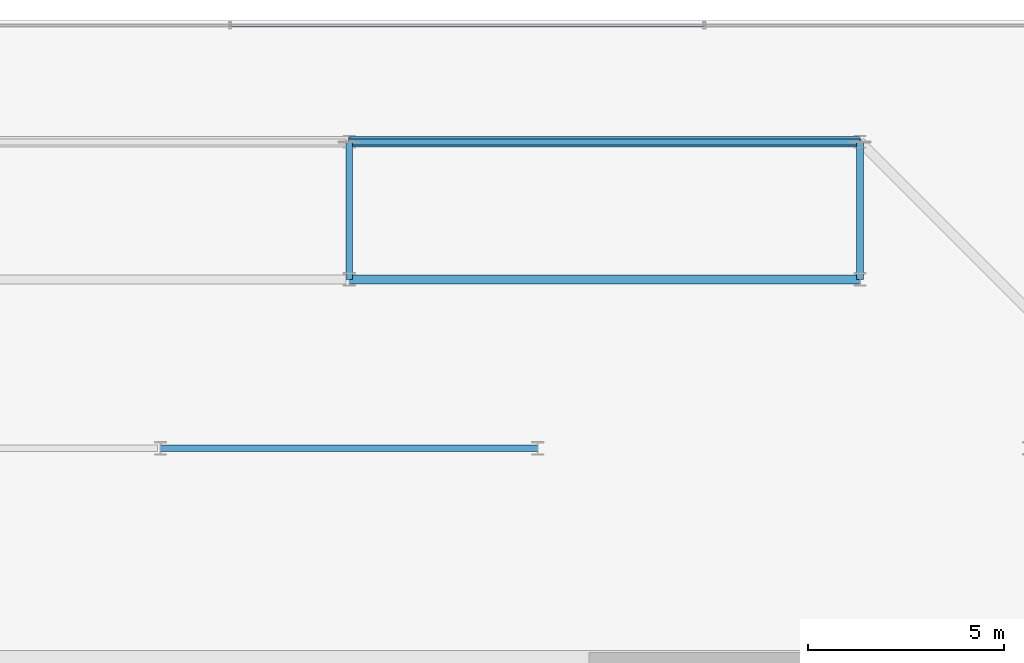
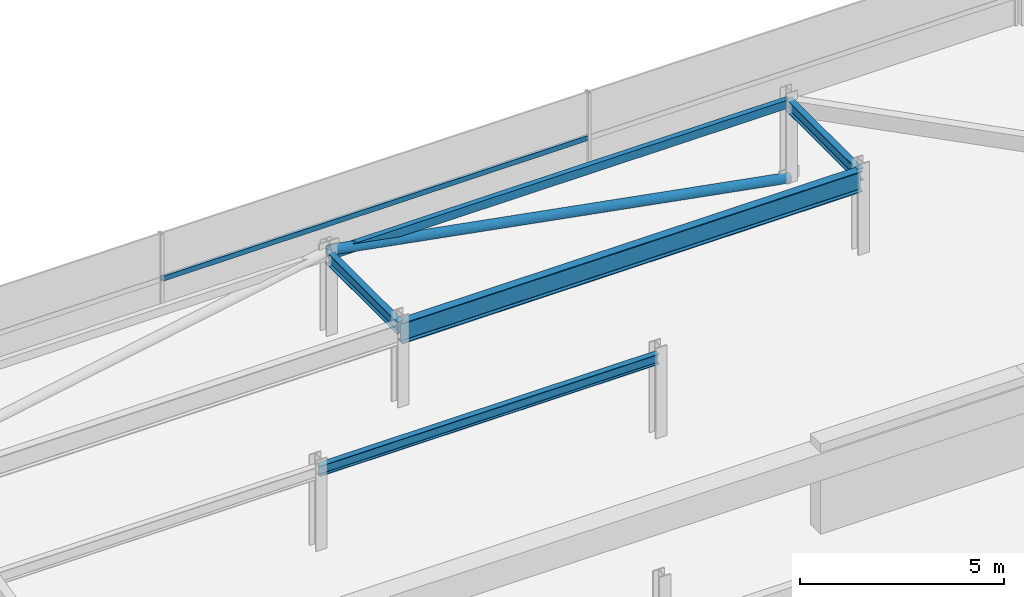
# One storey, part 34 of 42: 5 beams, 2 members, 1 element without a shape of its own.
"""IFC4 building model written with IfcOpenShell, lengths in metres."""

from ifc_helpers import new_model, si_unit, direction, frame, origin, origin_2d, place, context, subcontext, project, spatial, hollow_rectangle, hollow_circle, i_section, extrude, material, material_profile, profile_set, type_object, element, aggregate, save


model = new_model("IFC4")

# Units and contexts
model_context = context("Model", 3, precision=1e-05, world=origin(), true_north=direction((0.0, 1.0)))
body_context = subcontext(model_context, "Body", "Model", "MODEL_VIEW")
ifc_project = project(units=[si_unit("LENGTHUNIT", "METRE"), si_unit("AREAUNIT", "SQUARE_METRE"), si_unit("VOLUMEUNIT", "CUBIC_METRE"), si_unit("PLANEANGLEUNIT", "RADIAN"), si_unit("MASSUNIT", "GRAM", prefix="KILO")], contexts=[model_context])

# Site, building, storey
site_placement = place(None, origin())
site = spatial("IfcSite", under=ifc_project, at=site_placement, CompositionType="ELEMENT")
building_placement = place(site_placement, origin())
building = spatial("IfcBuilding", under=site, at=building_placement, Name="Thornwick Lancets Civic Towers", CompositionType="ELEMENT")
storey_placement = place(building_placement, frame((0.0, 0.0, 289.5)))
storey = spatial("IfcBuildingStorey", under=building, at=storey_placement, Name="C04", CompositionType="ELEMENT", Elevation=289.5)

# Beams
ifc_material_1 = material(Name="Steel S355JR", Category="steel")
ifc_material_profile_1 = material_profile(ifc_material_1, hollow_rectangle(XDim=0.14990234375, YDim=0.25, WallThickness=0.012451171875, at=origin_2d()), Name="RHS 250x150x12.5")
ifc_profile_set_1 = profile_set([ifc_material_profile_1], Name="Steel S355JR")
beam_type_1 = type_object("IfcBeamType", Name="BM_CROWN_RHS250", PredefinedType="BEAM", material=ifc_profile_set_1)
beam_1_placement = place(storey_placement, frame((101.5, 47.800048828125, 2.31494140625), z_axis=(-1.0, 0.0, 0.0), x_axis=(0.0, -1.0, 0.0)))
element("IfcBeam", 1, at=beam_1_placement, inside=storey, type_object=beam_type_1, Name="BM-EDGE-C04-B-S1-1", PredefinedType="BEAM", context=body_context, shape_type="SweptSolid", body=[
    extrude(hollow_rectangle(XDim=0.14990234375, YDim=0.25, WallThickness=0.012451171875, at=origin_2d()), origin(), (0.0, 0.0, 1.0), 13.0),
])
ifc_material_profile_2 = material_profile(ifc_material_1, i_section(OverallWidth=0.230224609375, OverallDepth=0.6171875, WebThickness=0.01318359375, FlangeThickness=0.022216796875, FilletRadius=0.0126953125, at=origin_2d()), Name="UKB 610x229x140")
ifc_profile_set_2 = profile_set([ifc_material_profile_2], Name="Steel S355JR")
beam_type_2 = type_object("IfcBeamType", Name="BM_GIRD_610_140", PredefinedType="BEAM", material=ifc_profile_set_2)
beam_2_placement = place(storey_placement, frame((101.5, 44.300048828125, 2.13134765625), z_axis=(-1.0, 0.0, 0.0), x_axis=(0.0, -1.0, 0.0)))
element("IfcBeam", 2, at=beam_2_placement, inside=storey, type_object=beam_type_2, Name="BM-SPINE-C04-B-3-4", PredefinedType="BEAM", context=body_context, shape_type="SweptSolid", body=[
    extrude(i_section(OverallWidth=0.230224609375, OverallDepth=0.6171875, WebThickness=0.01318359375, FlangeThickness=0.022216796875, FilletRadius=0.0126953125, at=origin_2d()), origin(), (0.0, 0.0, 1.0), 13.0),
])
ifc_material_profile_3 = material_profile(ifc_material_1, i_section(OverallWidth=0.173095703125, OverallDepth=0.36328125, WebThickness=0.009033203125, FlangeThickness=0.015625, FilletRadius=0.01025390625, at=origin_2d()), Name="UKB 356x171x67")
ifc_profile_set_3 = profile_set([ifc_material_profile_3], Name="Steel S355JR")
beam_type_3 = type_object("IfcBeamType", Name="BM_JOIST_356_67", PredefinedType="JOIST", material=ifc_profile_set_3)
for number, where, z_axis, x_axis, name in (
    (3, (101.5, 44.300048828125, 2.25830078125), (0.0, 1.0, 0.0), (-1.0, 0.0, 0.0), "BM-RAD-C04-B04"),
    (4, (88.5, 44.300048828125, 2.25830078125), (0.0, 1.0, 0.0), (-1.0, 0.0, 0.0), "BM-RAD-C04-B05"),
):
    element("IfcBeam", number, at=place(storey_placement, frame(where, z_axis=z_axis, x_axis=x_axis)), inside=storey, type_object=beam_type_3, Name=name, PredefinedType="JOIST", context=body_context, shape_type="SweptSolid", body=[
        extrude(i_section(OverallWidth=0.173095703125, OverallDepth=0.36328125, WebThickness=0.009033203125, FlangeThickness=0.015625, FilletRadius=0.01025390625, at=origin_2d()), origin(), (0.0, 0.0, 1.0), 3.5),
    ])
ifc_material_profile_4 = material_profile(ifc_material_1, i_section(OverallWidth=0.1669921875, OverallDepth=0.310302734375, WebThickness=0.0078125, FlangeThickness=0.013671875, FilletRadius=0.0087890625, at=origin_2d()), Name="UKB 305x165x54")
ifc_profile_set_4 = profile_set([ifc_material_profile_4], Name="Steel S355JR")
beam_type_4 = type_object("IfcBeamType", Name="BM_LINTEL_305_54", PredefinedType="LINTEL", material=ifc_profile_set_4)
beam_3_placement = place(storey_placement, frame((93.300048828125, 40.0, 2.284912109375), z_axis=(-1.0, 0.0, 0.0), x_axis=(0.0, -1.0, 0.0)))
element("IfcBeam", 5, at=beam_3_placement, inside=storey, type_object=beam_type_4, Name="BM-INSP-C04-B-1-3", PredefinedType="LINTEL", context=body_context, shape_type="SweptSolid", body=[
    extrude(i_section(OverallWidth=0.1669921875, OverallDepth=0.310302734375, WebThickness=0.0078125, FlangeThickness=0.013671875, FilletRadius=0.0087890625, at=origin_2d()), origin(), (0.0, 0.0, 1.0), 9.60009765625),
])

# Curtain wall, member
ifc_material_2 = material(Name="Crown ring acoustic-louvre and glazing screen wall", Category="glass")
curtain_wall_type = type_object("IfcCurtainWallType", Name="CW_SYS_07", PredefinedType="NOTDEFINED", material=ifc_material_2)
curtain_wall_placement = place(storey_placement, origin())
curtain_wall = element("IfcCurtainWall", 6, at=curtain_wall_placement, inside=storey, type_object=curtain_wall_type, Name="C04 Curtain Wall CW-C04-B-E4", PredefinedType="NOTDEFINED")
ifc_material_3 = material(Name="Thermally broken bronze aluminium S355", Category="steel")
ifc_material_profile_5 = material_profile(ifc_material_3, hollow_rectangle(XDim=0.074951171875, YDim=0.14990234375, WallThickness=0.0048828125, at=origin_2d()), Name="RHS 150x75x5")
ifc_profile_set_5 = profile_set([ifc_material_profile_5], Name="Thermally broken bronze aluminium S355")
member_type_1 = type_object("IfcMemberType", Name="CW_TRN_150", PredefinedType="USERDEFINED", material=ifc_profile_set_5)
member_1_placement = place(storey_placement, frame((97.513916015625, 50.7646484375, 0.85009765625), z_axis=(-1.0, 0.0, 0.0), x_axis=(0.0, -1.0, 0.0)))
member_1 = element("IfcMember", 7, at=member_1_placement, type_object=member_type_1, Name="CW-C04-B-E4 Transom 1", ObjectType="TRANSOM", PredefinedType="USERDEFINED", context=body_context, shape_type="SweptSolid", body=[
    extrude(hollow_rectangle(XDim=0.074951171875, YDim=0.14990234375, WallThickness=0.0048828125, at=origin_2d()), origin(), (0.0, 0.0, 1.0), 12.02783203125),
])
aggregate(curtain_wall, [member_1])

# Member
ifc_material_profile_6 = material_profile(ifc_material_1, hollow_circle(Radius=0.136474609375, WallThickness=0.012451171875, at=origin_2d()), Name="CHS 273x12.5")
ifc_profile_set_6 = profile_set([ifc_material_profile_6], Name="Steel S355JR")
member_type_2 = type_object("IfcMemberType", Name="MEM_CROWN_CHS273", PredefinedType="BRACE", material=ifc_profile_set_6)
member_2_placement = place(storey_placement, frame((101.5, 47.800048828125, 0.050048828125), z_axis=(-0.98351842104, 0.0, 0.180807951915), x_axis=(0.0, -1.0, 0.0)))
element("IfcMember", 8, at=member_2_placement, inside=storey, type_object=member_type_2, Name="C04 Crown Ring Lancet Rib B-S1-L", PredefinedType="BRACE", context=body_context, shape_type="SweptSolid", body=[
    extrude(hollow_circle(Radius=0.136474609375, WallThickness=0.012451171875, at=origin_2d()), origin(), (0.0, 0.0, 1.0), 13.2177734375),
])

save(model, "model.ifc")
